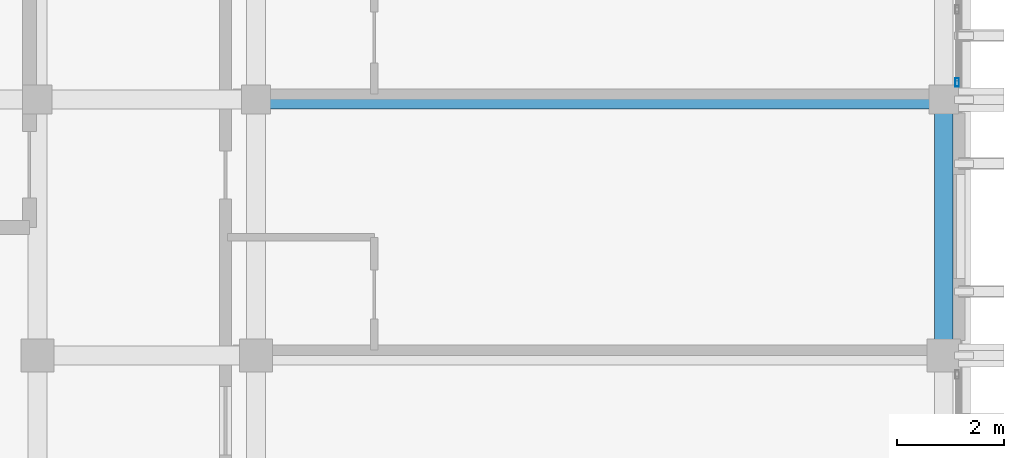
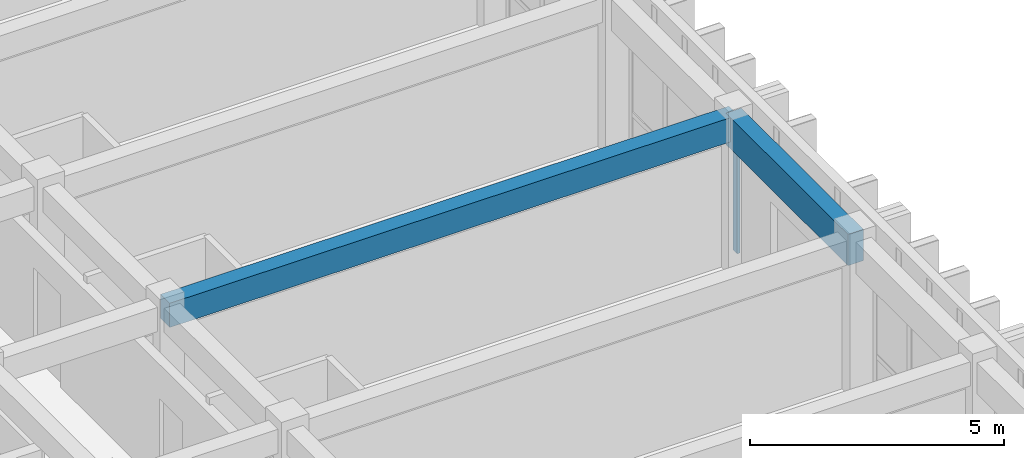
# One storey, part 18 of 50: 2 beams, 1 member, 1 element without a shape of its own.
"""IFC4 building model written with IfcOpenShell, lengths in metres."""

from ifc_helpers import new_model, si_unit, direction, frame, origin, origin_2d, place, context, subcontext, project, spatial, rectangle, hollow_rectangle, extrude, material, layer, layer_set, material_profile, profile_set, type_object, element, aggregate, save


model = new_model("IFC4")

# Units and contexts
model_context = context("Model", 3, precision=1e-05, world=origin(), true_north=direction((0.0, 1.0)))
body_context = subcontext(model_context, "Body", "Model", "MODEL_VIEW")
ifc_project = project(units=[si_unit("LENGTHUNIT", "METRE"), si_unit("AREAUNIT", "SQUARE_METRE"), si_unit("VOLUMEUNIT", "CUBIC_METRE"), si_unit("PLANEANGLEUNIT", "RADIAN"), si_unit("MASSUNIT", "GRAM", prefix="KILO")], contexts=[model_context])

# Site, building, storey
site_placement = place(None, origin())
site = spatial("IfcSite", under=ifc_project, at=site_placement, CompositionType="ELEMENT")
building_placement = place(site_placement, origin())
building = spatial("IfcBuilding", under=site, at=building_placement, Name="Nakhvara Creek Congress Hotel", CompositionType="ELEMENT")
storey_placement = place(building_placement, frame((0.0, 0.0, 42.60009765625)))
storey = spatial("IfcBuildingStorey", under=building, at=storey_placement, Name="L10", CompositionType="ELEMENT", Elevation=42.60009765625)

# Beams
ifc_material_1 = material(Name="Concrete C40/50", Category="concrete")
ifc_material_profile_1 = material_profile(ifc_material_1, rectangle(XDim=0.360107421875, YDim=0.580078125, at=origin_2d()), Name="RC-BM 360x580", Category="LoadBearing")
ifc_profile_set_1 = profile_set([ifc_material_profile_1], Name="Concrete C40/50")
beam_type_1 = type_object("IfcBeamType", Name="BM-RC-360X580", PredefinedType="BEAM", material=ifc_profile_set_1)
beam_1_placement = place(storey_placement, frame((166.449951171875, 91.199951171875, 3.369873046875), z_axis=(1.0, 0.0, 0.0), x_axis=(0.0, 1.0, 0.0)))
element("IfcBeam", 1, at=beam_1_placement, inside=storey, type_object=beam_type_1, Name="Beam B09-L10-2716", PredefinedType="BEAM", context=body_context, shape_type="SweptSolid", body=[
    extrude(rectangle(XDim=0.360107421875, YDim=0.580078125, at=origin_2d()), origin(), (0.0, 0.0, 1.0), 12.900146484375),
])
ifc_material_profile_2 = material_profile(ifc_material_1, rectangle(XDim=0.35009765625, YDim=0.75, at=origin_2d()), Name="RC-SPANDREL 350x750", Category="LoadBearing")
ifc_profile_set_2 = profile_set([ifc_material_profile_2], Name="Concrete C40/50")
beam_type_2 = type_object("IfcBeamType", Name="BM-SPN-350X750", PredefinedType="SPANDREL", material=ifc_profile_set_2)
beam_2_placement = place(storey_placement, frame((179.35009765625, 86.39990234375, 3.284912109375), z_axis=(0.0, 1.0, 0.0), x_axis=(-1.0, 0.0, 0.0)))
element("IfcBeam", 2, at=beam_2_placement, inside=storey, type_object=beam_type_2, Name="Beam SP1-L10-2693", PredefinedType="SPANDREL", context=body_context, shape_type="SweptSolid", body=[
    extrude(rectangle(XDim=0.35009765625, YDim=0.75, at=origin_2d()), origin(), (0.0, 0.0, 1.0), 4.800048828125),
])

# Curtain wall, member
ifc_material_2 = material(Name="Bronze-anodised aluminium AW-6063-T6 and double-silver low-E glass", Category="aluminium")
ifc_layer = layer(ifc_material_2, 0.199951171875)
ifc_layer_set = layer_set([ifc_layer], Name="Bronze-anodised aluminium AW-6063-T6 and double-silver low-E glass")
curtain_wall_type = type_object("IfcCurtainWallType", Name="CW-HTL-UNIT", PredefinedType="USERDEFINED", material=ifc_layer_set)
curtain_wall_placement = place(storey_placement, origin())
curtain_wall = element("IfcCurtainWall", 3, at=curtain_wall_placement, inside=storey, type_object=curtain_wall_type, Name="Curtain Wall CW322", ObjectType="UNITISED", PredefinedType="USERDEFINED")
ifc_material_3 = material(Name="Bronze-anodised aluminium AW-6063-T6", Category="aluminium")
ifc_material_profile_3 = material_profile(ifc_material_3, hollow_rectangle(XDim=0.06494140625, YDim=0.159912109375, WallThickness=0.00390625, at=origin_2d()), Name="ALU-MULL 65x160x4", Category="LoadBearing")
ifc_profile_set_3 = profile_set([ifc_material_profile_3], Name="Bronze-anodised aluminium AW-6063-T6")
member_type = type_object("IfcMemberType", Name="CW-MULL-160", PredefinedType="MULLION", material=ifc_profile_set_3)
member_placement = place(storey_placement, frame((179.60009765625, 91.5224609375, 0.0), z_axis=(0.0, 0.0, 1.0), x_axis=(1.0, 0.0, 0.0)))
member = element("IfcMember", 4, at=member_placement, type_object=member_type, Name="CW322 mullion 4", PredefinedType="MULLION", context=body_context, shape_type="SweptSolid", body=[
    extrude(hollow_rectangle(XDim=0.06494140625, YDim=0.159912109375, WallThickness=0.00390625, at=origin_2d()), origin(), (0.0, 0.0, 1.0), 2.90185546875),
])
aggregate(curtain_wall, [member])

save(model, "model.ifc")
